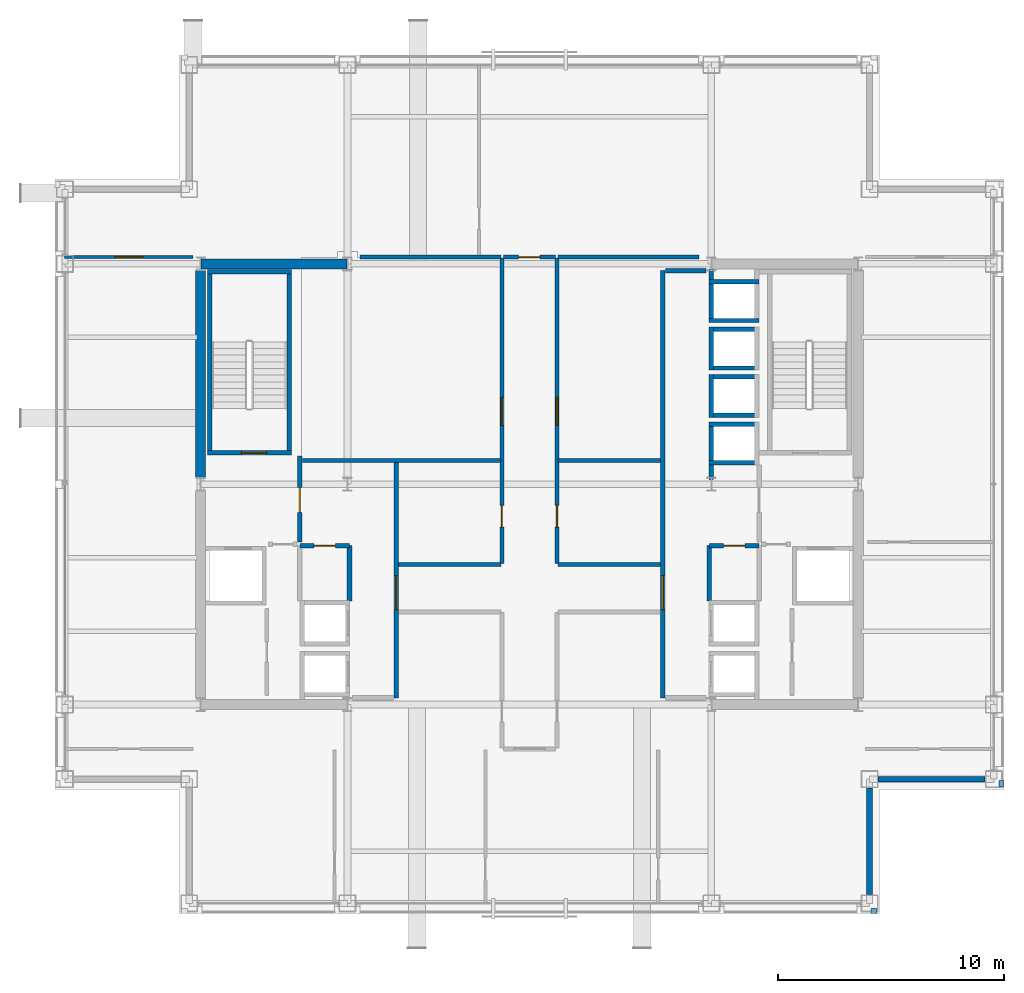
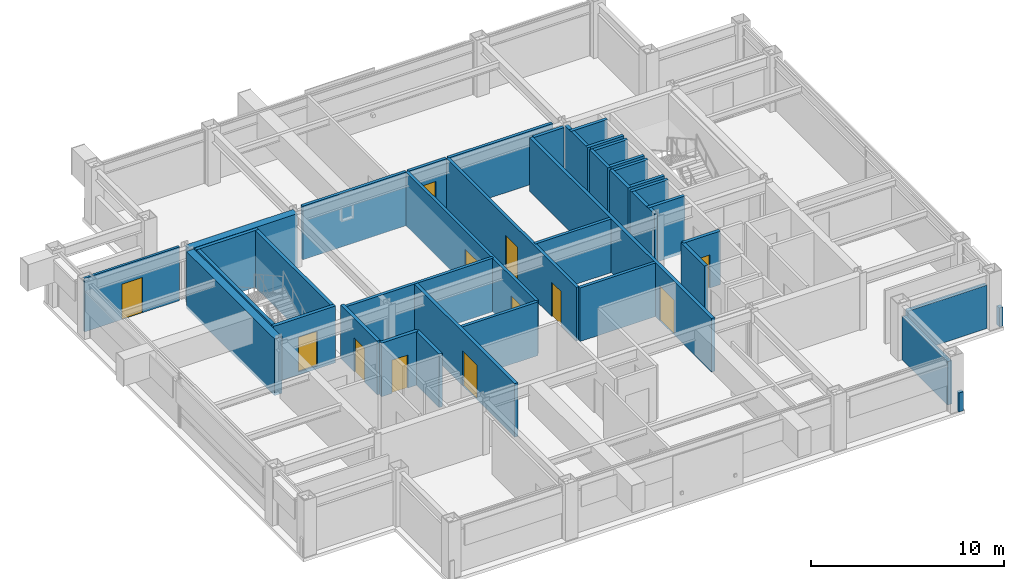
# One storey, part 25 of 28: 40 walls, 12 doors, 12 openings.
"""IFC4 building model written with IfcOpenShell, lengths in metres."""

from ifc_helpers import new_model, si_unit, direction, frame, frame_2d, origin, place, context, subcontext, project, spatial, rectangle, extrude, material, layer, layer_set, type_object, element, fill, save


model = new_model("IFC4")

# Units and contexts
model_context = context("Model", 3, precision=1e-05, world=origin(), true_north=direction((0.0, 1.0)))
body_context = subcontext(model_context, "Body", "Model", "MODEL_VIEW")
ifc_project = project(units=[si_unit("LENGTHUNIT", "METRE"), si_unit("AREAUNIT", "SQUARE_METRE"), si_unit("VOLUMEUNIT", "CUBIC_METRE"), si_unit("PLANEANGLEUNIT", "RADIAN"), si_unit("MASSUNIT", "GRAM", prefix="KILO")], contexts=[model_context])

# Site, building, storey
site_placement = place(None, origin())
site = spatial("IfcSite", under=ifc_project, at=site_placement, CompositionType="ELEMENT")
building_placement = place(site_placement, origin())
building = spatial("IfcBuilding", under=site, at=building_placement, Name="Brelmoor Portico Tower", CompositionType="ELEMENT")
storey_placement = place(building_placement, frame((0.0, 0.0, 155.10009765625)))
storey = spatial("IfcBuildingStorey", under=building, at=storey_placement, Name="L40", CompositionType="ELEMENT", Elevation=155.10009765625)

# Walls
ifc_material_1 = material(Name="Concrete C50", Category="concrete")
ifc_layer_1 = layer(ifc_material_1, 0.449951171875)
ifc_layer_set_1 = layer_set([ifc_layer_1], Name="Concrete C50")
wall_type_1 = type_object("IfcWallType", Name="WL-CORE-450", PredefinedType="SHEAR", material=ifc_layer_set_1)
wall_1_placement = place(storey_placement, frame((-14.530029296875, 9.75, -0.2001953125), z_axis=(0.0, 0.0, 1.0), x_axis=(1.0, 0.0, 0.0)))
element("IfcWall", 1, at=wall_1_placement, inside=storey, type_object=wall_type_1, Name="L40 WC North Shear Wall", PredefinedType="SHEAR", context=body_context, shape_type="SweptSolid", body=[
    extrude(rectangle(XDim=6.4599609375, YDim=0.449951171875, at=frame_2d((3.22998046875, 0.0))), origin(), (0.0, 0.0, 1.0), 3.60009765625),
])
wall_2_placement = place(storey_placement, frame((-14.550048828125, 0.300048828125, -0.2001953125), z_axis=(0.0, 0.0, 1.0), x_axis=(0.0, 1.0, 0.0)))
element("IfcWall", 2, at=wall_2_placement, inside=storey, type_object=wall_type_1, Name="L40 WC Outer North Shear Wall", PredefinedType="SHEAR", context=body_context, shape_type="SweptSolid", body=[
    extrude(rectangle(XDim=9.14990234375, YDim=0.449951171875, at=frame_2d((4.574951171875, 0.0))), origin(), (0.0, 0.0, 1.0), 3.60009765625),
])
ifc_material_2 = material(Name="Precast Concrete C40 Insulated Facade Wall", Category="concrete")
ifc_layer_2 = layer(ifc_material_2, 0.25)
ifc_layer_set_2 = layer_set([ifc_layer_2], Name="Precast Concrete C40 Insulated Facade Wall")
wall_type_2 = type_object("IfcWallType", Name="WL-EXT-250", PredefinedType="STANDARD", material=ifc_layer_set_2)
for number, where, z_axis, x_axis, name in (
    (3, (15.43505859375, -13.050048828125, 0.0), (0.0, 0.0, 1.0), (1.0, 0.0, 0.0), "L40 Corner Notch Facade Wall NSEH1"),
    (4, (15.050048828125, -18.1650390625, 0.0), (0.0, 0.0, 1.0), (0.0, 1.0, 0.0), "L40 Corner Notch Facade Wall NSEV1"),
):
    element("IfcWall", number, at=place(storey_placement, frame(where, z_axis=z_axis, x_axis=x_axis)), inside=storey, type_object=wall_type_2, Name=name, PredefinedType="STANDARD", context=body_context, shape_type="SweptSolid", body=[
        extrude(rectangle(XDim=4.72998046875, YDim=0.25, at=frame_2d((2.364990234375, 0.0))), origin(), (0.0, 0.0, 1.0), 2.75),
    ])
ifc_material_3 = material(Name="Concrete C40 Parapet Upstand", Category="concrete")
ifc_layer_3 = layer(ifc_material_3, 0.219970703125)
ifc_layer_set_3 = layer_set([ifc_layer_3], Name="Concrete C40 Parapet Upstand")
wall_type_3 = type_object("IfcWallType", Name="WL-PARAPET-220", PredefinedType="PARAPET", material=ifc_layer_set_3)
for number, where, z_axis, x_axis, name in (
    (5, (15.1201171875, -18.889892578125, 0.0), (0.0, 0.0, 1.0), (1.0, 0.0, 0.0), "L40 Chamfer Vertex Parapet Pier SE1"),
    (6, (20.889892578125, -13.389892578125, 0.0), (0.0, 0.0, 1.0), (0.0, 1.0, 0.0), "L40 Chamfer Vertex Parapet Pier SE2"),
):
    element("IfcWall", number, at=place(storey_placement, frame(where, z_axis=z_axis, x_axis=x_axis)), inside=storey, type_object=wall_type_3, Name=name, PredefinedType="PARAPET", context=body_context, shape_type="SweptSolid", body=[
        extrude(rectangle(XDim=0.269775390625, YDim=0.219970703125, at=frame_2d((0.134765625, 0.0))), origin(), (0.0, 0.0, 1.0), 1.199951171875),
    ])

# Wall, opening, door
ifc_material_4 = material(Name="Insulated Stud Suite Partition", Category="gypsum")
ifc_layer_4 = layer(ifc_material_4, 0.139892578125)
ifc_layer_set_4 = layer_set([ifc_layer_4], Name="Insulated Stud Suite Partition")
wall_type_4 = type_object("IfcWallType", Name="WL-PART-140", PredefinedType="PARTITIONING", material=ifc_layer_set_4)
wall_3_placement = place(storey_placement, frame((-20.56005859375, 10.050048828125, 0.0), z_axis=(0.0, 0.0, 1.0), x_axis=(1.0, 0.0, 0.0)))
wall_3 = element("IfcWall", 7, at=wall_3_placement, inside=storey, type_object=wall_type_4, Name="L40 North Wing Suite Wall WL", PredefinedType="PARTITIONING", context=body_context, shape_type="SweptSolid", body=[
    extrude(rectangle(XDim=5.68017578125, YDim=0.139892578125, at=frame_2d((2.840087890625, 0.0))), origin(), (0.0, 0.0, 1.0), 3.39990234375),
])
opening_1_placement = place(wall_3_placement, frame((2.219970703125, 0.0, 0.0)))
opening_1 = element("IfcOpeningElement", 8, at=opening_1_placement, cuts=wall_3, Name="Opening D-SU1", PredefinedType="OPENING", context=body_context, shape_type="SweptSolid", body=[
    extrude(rectangle(XDim=1.239990234375, YDim=2.239990234375, at=frame_2d((0.6201171875, 1.1201171875))), frame((0.0, 0.079833984375, 0.0), z_axis=(0.0, -1.0, 0.0), x_axis=(1.0, 0.0, 0.0)), (0.0, 0.0, 1.0), 0.159912109375),
])
ifc_material_5 = material(Name="Glazed Timber Executive Suite Door", Category="wood")
door_type_1 = type_object("IfcDoorType", Name="DR-SUITE-1200", OperationType="NOTDEFINED", PredefinedType="DOOR", material=ifc_material_5)
door_1_placement = place(opening_1_placement, origin())
door_1 = element("IfcDoor", 9, at=door_1_placement, inside=storey, type_object=door_type_1, Name="D-1727 L40 WL Wing Suite Connecting Door", OperationType="SINGLE_SWING_LEFT", OverallHeight=2.239990234375, OverallWidth=1.239990234375, PredefinedType="DOOR", context=body_context, shape_type="SweptSolid", body=[
    extrude(rectangle(XDim=1.239990234375, YDim=2.239990234375, at=frame_2d((0.6201171875, 1.1201171875))), frame((0.0, 0.02490234375, 0.0), z_axis=(0.0, -1.0, 0.0), x_axis=(1.0, 0.0, 0.0)), (0.0, 0.0, 1.0), 0.050048828125),
])
fill(opening_1, door_1)

# Wall
ifc_material_6 = material(Name="Acoustic Corridor Fire Partition", Category="gypsum")
ifc_layer_5 = layer(ifc_material_6, 0.179931640625)
ifc_layer_set_5 = layer_set([ifc_layer_5], Name="Acoustic Corridor Fire Partition")
wall_type_5 = type_object("IfcWallType", Name="WL-PART-180", PredefinedType="PARTITIONING", material=ifc_layer_set_5)
wall_4_placement = place(storey_placement, frame((-10.050048828125, 1.050048828125, 0.0), z_axis=(0.0, 0.0, 1.0), x_axis=(1.0, 0.0, 0.0)))
element("IfcWall", 10, at=wall_4_placement, inside=storey, type_object=wall_type_5, Name="L40 West Reclaimed Suite South Wall", PredefinedType="PARTITIONING", context=body_context, shape_type="SweptSolid", body=[
    extrude(rectangle(XDim=8.7900390625, YDim=0.179931640625, at=frame_2d((4.39501953125, 0.0))), origin(), (0.0, 0.0, 1.0), 3.39990234375),
])

# Wall, openings, doors
wall_5_placement = place(storey_placement, frame((-1.219970703125, -3.5, 0.0), z_axis=(0.0, 0.0, 1.0), x_axis=(0.0, 1.0, 0.0)))
wall_5 = element("IfcWall", 11, at=wall_5_placement, inside=storey, type_object=wall_type_5, Name="L40 Central Cross West Wall", PredefinedType="PARTITIONING", context=body_context, shape_type="SweptSolid", body=[
    extrude(rectangle(XDim=13.510009765625, YDim=0.179931640625, at=frame_2d((6.7548828125, 0.0))), origin(), (0.0, 0.0, 1.0), 3.39990234375),
])
opening_2_placement = place(wall_5_placement, frame((6.10009765625, 0.0, 0.0)))
opening_2 = element("IfcOpeningElement", 12, at=opening_2_placement, cuts=wall_5, Name="Opening D-SU1", PredefinedType="OPENING", context=body_context, shape_type="SweptSolid", body=[
    extrude(rectangle(XDim=1.239990234375, YDim=2.239990234375, at=frame_2d((0.6201171875, 1.1201171875))), frame((0.0, 0.099853515625, 0.0), z_axis=(0.0, -1.0, 0.0), x_axis=(1.0, 0.0, 0.0)), (0.0, 0.0, 1.0), 0.199951171875),
])
opening_3_placement = place(wall_5_placement, frame((1.60009765625, 0.0, 0.0)))
opening_3 = element("IfcOpeningElement", 13, at=opening_3_placement, cuts=wall_5, Name="Opening D-IN2", PredefinedType="OPENING", context=body_context, shape_type="SweptSolid", body=[
    extrude(rectangle(XDim=0.9599609375, YDim=2.179931640625, at=frame_2d((0.47998046875, 1.08984375))), frame((0.0, 0.099853515625, 0.0), z_axis=(0.0, -1.0, 0.0), x_axis=(1.0, 0.0, 0.0)), (0.0, 0.0, 1.0), 0.199951171875),
])
ifc_material_7 = material(Name="Lacquered Timber Suite Door", Category="wood")
door_type_2 = type_object("IfcDoorType", Name="DR-INT-950", OperationType="NOTDEFINED", PredefinedType="DOOR", material=ifc_material_7)
door_2_placement = place(opening_3_placement, origin())
door_2 = element("IfcDoor", 14, at=door_2_placement, inside=storey, type_object=door_type_2, Name="D-1712 L40 Staff Pantry Door", OperationType="SINGLE_SWING_RIGHT", OverallHeight=2.179931640625, OverallWidth=0.9599609375, PredefinedType="DOOR", context=body_context, shape_type="SweptSolid", body=[
    extrude(rectangle(XDim=0.9599609375, YDim=2.179931640625, at=frame_2d((0.47998046875, 1.08984375))), frame((0.0, 0.02490234375, 0.0), z_axis=(0.0, -1.0, 0.0), x_axis=(1.0, 0.0, 0.0)), (0.0, 0.0, 1.0), 0.050048828125),
])
fill(opening_3, door_2)
door_3_placement = place(opening_2_placement, origin())
door_3 = element("IfcDoor", 15, at=door_3_placement, inside=storey, type_object=door_type_1, Name="D-1713 L40 West Reclaimed Studio Door", OperationType="SINGLE_SWING_LEFT", OverallHeight=2.239990234375, OverallWidth=1.239990234375, PredefinedType="DOOR", context=body_context, shape_type="SweptSolid", body=[
    extrude(rectangle(XDim=1.239990234375, YDim=2.239990234375, at=frame_2d((0.6201171875, 1.1201171875))), frame((0.0, 0.02490234375, 0.0), z_axis=(0.0, -1.0, 0.0), x_axis=(1.0, 0.0, 0.0)), (0.0, 0.0, 1.0), 0.050048828125),
])
fill(opening_2, door_3)

# Walls
wall_6_placement = place(storey_placement, frame((-7.5, 10.050048828125, 0.0), z_axis=(0.0, 0.0, 1.0), x_axis=(1.0, 0.0, 0.0)))
element("IfcWall", 16, at=wall_6_placement, inside=storey, type_object=wall_type_5, Name="L40 West Reclaimed Suite North Wall", PredefinedType="PARTITIONING", context=body_context, shape_type="SweptSolid", body=[
    extrude(rectangle(XDim=6.239990234375, YDim=0.179931640625, at=frame_2d((3.1201171875, 0.0))), origin(), (0.0, 0.0, 1.0), 3.39990234375),
])
for number, where, z_axis, x_axis, name in (
    (17, (-5.800048828125, -3.550048828125, 0.0), (0.0, 0.0, 1.0), (1.0, 0.0, 0.0), "L40 West Pantry South Wall"),
    (18, (1.260009765625, 1.050048828125, 0.0), (0.0, 0.0, 1.0), (1.0, 0.0, 0.0), "L40 East Suite South Wall"),
):
    element("IfcWall", number, at=place(storey_placement, frame(where, z_axis=z_axis, x_axis=x_axis)), inside=storey, type_object=wall_type_5, Name=name, PredefinedType="PARTITIONING", context=body_context, shape_type="SweptSolid", body=[
        extrude(rectangle(XDim=4.5400390625, YDim=0.179931640625, at=frame_2d((2.27001953125, 0.0))), origin(), (0.0, 0.0, 1.0), 3.39990234375),
    ])

# Wall, openings, doors
wall_7_placement = place(storey_placement, frame((1.219970703125, -3.5, 0.0), z_axis=(0.0, 0.0, 1.0), x_axis=(0.0, 1.0, 0.0)))
wall_7 = element("IfcWall", 19, at=wall_7_placement, inside=storey, type_object=wall_type_5, Name="L40 Central Cross East Wall", PredefinedType="PARTITIONING", context=body_context, shape_type="SweptSolid", body=[
    extrude(rectangle(XDim=13.510009765625, YDim=0.179931640625, at=frame_2d((6.7548828125, 0.0))), origin(), (0.0, 0.0, 1.0), 3.39990234375),
])
opening_4_placement = place(wall_7_placement, frame((6.10009765625, 0.0, 0.0)))
opening_4 = element("IfcOpeningElement", 20, at=opening_4_placement, cuts=wall_7, Name="Opening D-SU1", PredefinedType="OPENING", context=body_context, shape_type="SweptSolid", body=[
    extrude(rectangle(XDim=1.239990234375, YDim=2.239990234375, at=frame_2d((0.6201171875, 1.1201171875))), frame((0.0, 0.099853515625, 0.0), z_axis=(0.0, -1.0, 0.0), x_axis=(1.0, 0.0, 0.0)), (0.0, 0.0, 1.0), 0.199951171875),
])
opening_5_placement = place(wall_7_placement, frame((1.60009765625, 0.0, 0.0)))
opening_5 = element("IfcOpeningElement", 21, at=opening_5_placement, cuts=wall_7, Name="Opening D-IN2", PredefinedType="OPENING", context=body_context, shape_type="SweptSolid", body=[
    extrude(rectangle(XDim=0.9599609375, YDim=2.179931640625, at=frame_2d((0.47998046875, 1.08984375))), frame((0.0, 0.099853515625, 0.0), z_axis=(0.0, -1.0, 0.0), x_axis=(1.0, 0.0, 0.0)), (0.0, 0.0, 1.0), 0.199951171875),
])
door_4_placement = place(opening_5_placement, origin())
door_4 = element("IfcDoor", 22, at=door_4_placement, inside=storey, type_object=door_type_2, Name="D-1708 L40 Client Project Office Door", OperationType="SINGLE_SWING_RIGHT", OverallHeight=2.179931640625, OverallWidth=0.9599609375, PredefinedType="DOOR", context=body_context, shape_type="SweptSolid", body=[
    extrude(rectangle(XDim=0.9599609375, YDim=2.179931640625, at=frame_2d((0.47998046875, 1.08984375))), frame((0.0, 0.02490234375, 0.0), z_axis=(0.0, -1.0, 0.0), x_axis=(1.0, 0.0, 0.0)), (0.0, 0.0, 1.0), 0.050048828125),
])
fill(opening_5, door_4)
door_5_placement = place(opening_4_placement, origin())
door_5 = element("IfcDoor", 23, at=door_5_placement, inside=storey, type_object=door_type_1, Name="D-1709 L40 East Reclaimed Studio Door", OperationType="SINGLE_SWING_LEFT", OverallHeight=2.239990234375, OverallWidth=1.239990234375, PredefinedType="DOOR", context=body_context, shape_type="SweptSolid", body=[
    extrude(rectangle(XDim=1.239990234375, YDim=2.239990234375, at=frame_2d((0.6201171875, 1.1201171875))), frame((0.0, 0.02490234375, 0.0), z_axis=(0.0, -1.0, 0.0), x_axis=(1.0, 0.0, 0.0)), (0.0, 0.0, 1.0), 0.050048828125),
])
fill(opening_4, door_5)

# Walls
wall_8_placement = place(storey_placement, frame((1.260009765625, 10.050048828125, 0.0), z_axis=(0.0, 0.0, 1.0), x_axis=(1.0, 0.0, 0.0)))
element("IfcWall", 24, at=wall_8_placement, inside=storey, type_object=wall_type_5, Name="L40 East Suite North Wall", PredefinedType="PARTITIONING", context=body_context, shape_type="SweptSolid", body=[
    extrude(rectangle(XDim=6.239990234375, YDim=0.179931640625, at=frame_2d((3.1201171875, 0.0))), origin(), (0.0, 0.0, 1.0), 3.39990234375),
])
wall_9_placement = place(storey_placement, frame((1.260009765625, -3.550048828125, 0.0), z_axis=(0.0, 0.0, 1.0), x_axis=(1.0, 0.0, 0.0)))
element("IfcWall", 25, at=wall_9_placement, inside=storey, type_object=wall_type_5, Name="L40 East Office South Wall", PredefinedType="PARTITIONING", context=body_context, shape_type="SweptSolid", body=[
    extrude(rectangle(XDim=4.5400390625, YDim=0.179931640625, at=frame_2d((2.27001953125, 0.0))), origin(), (0.0, 0.0, 1.0), 3.39990234375),
])

# Wall, opening, door
wall_10_placement = place(storey_placement, frame((-1.14990234375, 10.050048828125, 0.0), z_axis=(0.0, 0.0, 1.0), x_axis=(1.0, 0.0, 0.0)))
wall_10 = element("IfcWall", 26, at=wall_10_placement, inside=storey, type_object=wall_type_5, Name="L40 North Corridor Partition", PredefinedType="PARTITIONING", context=body_context, shape_type="SweptSolid", body=[
    extrude(rectangle(XDim=2.2998046875, YDim=0.179931640625, at=frame_2d((1.14990234375, 0.0))), origin(), (0.0, 0.0, 1.0), 3.39990234375),
])
opening_6_placement = place(wall_10_placement, frame((0.669921875, 0.0, 0.0)))
opening_6 = element("IfcOpeningElement", 27, at=opening_6_placement, cuts=wall_10, Name="Opening D-IN2", PredefinedType="OPENING", context=body_context, shape_type="SweptSolid", body=[
    extrude(rectangle(XDim=0.9599609375, YDim=2.179931640625, at=frame_2d((0.47998046875, 1.08984375))), frame((0.0, 0.099853515625, 0.0), z_axis=(0.0, -1.0, 0.0), x_axis=(1.0, 0.0, 0.0)), (0.0, 0.0, 1.0), 0.199951171875),
])
door_6_placement = place(opening_6_placement, origin())
door_6 = element("IfcDoor", 28, at=door_6_placement, inside=storey, type_object=door_type_2, Name="D-1724 L40 North Staff Tea Pantry 2 Door", OperationType="SINGLE_SWING_RIGHT", OverallHeight=2.179931640625, OverallWidth=0.9599609375, PredefinedType="DOOR", context=body_context, shape_type="SweptSolid", body=[
    extrude(rectangle(XDim=0.9599609375, YDim=2.179931640625, at=frame_2d((0.47998046875, 1.08984375))), frame((0.0, 0.02490234375, 0.0), z_axis=(0.0, -1.0, 0.0), x_axis=(1.0, 0.0, 0.0)), (0.0, 0.0, 1.0), 0.050048828125),
])
fill(opening_6, door_6)

ifc_material_8 = material(Name="Double-Stud Gypsum Fire Partition", Category="gypsum")
ifc_layer_6 = layer(ifc_material_8, 0.199951171875)
ifc_layer_set_6 = layer_set([ifc_layer_6], Name="Double-Stud Gypsum Fire Partition")
wall_type_6 = type_object("IfcWallType", Name="WL-PART-200", PredefinedType="PARTITIONING", material=ifc_layer_set_6)
wall_11_placement = place(storey_placement, frame((-5.89990234375, -9.449951171875, 0.0), z_axis=(0.0, 0.0, 1.0), x_axis=(0.0, 1.0, 0.0)))
wall_11 = element("IfcWall", 29, at=wall_11_placement, inside=storey, type_object=wall_type_6, Name="L40 W Core Lobby Compartment Wall", PredefinedType="PARTITIONING", context=body_context, shape_type="SweptSolid", body=[
    extrude(rectangle(XDim=10.5, YDim=0.199951171875, at=frame_2d((5.25, 0.0))), origin(), (0.0, 0.0, 1.0), 3.39990234375),
])
opening_7_placement = place(wall_11_placement, frame((3.89990234375, 0.0, 0.0)))
opening_7 = element("IfcOpeningElement", 30, at=opening_7_placement, cuts=wall_11, Name="Opening D-LB1", PredefinedType="OPENING", context=body_context, shape_type="SweptSolid", body=[
    extrude(rectangle(XDim=1.5, YDim=2.199951171875, at=frame_2d((0.75, 1.10009765625))), frame((0.0, 0.10986328125, 0.0), z_axis=(0.0, -1.0, 0.0), x_axis=(1.0, 0.0, 0.0)), (0.0, 0.0, 1.0), 0.219970703125),
])
ifc_material_9 = material(Name="Double-Leaf Glazed Steel Fire Door", Category="steel")
door_type_3 = type_object("IfcDoorType", Name="DR-LOBBY-1500", OperationType="NOTDEFINED", PredefinedType="DOOR", material=ifc_material_9)
door_7_placement = place(opening_7_placement, origin())
door_7 = element("IfcDoor", 31, at=door_7_placement, inside=storey, type_object=door_type_3, Name="D-1723 L40 W Lift Lobby Main Door", OperationType="DOUBLE_DOOR_SINGLE_SWING", OverallHeight=2.199951171875, OverallWidth=1.5, PredefinedType="DOOR", context=body_context, shape_type="SweptSolid", body=[
    extrude(rectangle(XDim=1.5, YDim=2.199951171875, at=frame_2d((0.75, 1.10009765625))), frame((0.0, 0.02490234375, 0.0), z_axis=(0.0, -1.0, 0.0), x_axis=(1.0, 0.0, 0.0)), (0.0, 0.0, 1.0), 0.050048828125),
])
fill(opening_7, door_7)

wall_12_placement = place(storey_placement, frame((-10.159912109375, -2.550048828125, 0.0), z_axis=(0.0, 0.0, 1.0), x_axis=(0.0, 1.0, 0.0)))
wall_12 = element("IfcWall", 32, at=wall_12_placement, inside=storey, type_object=wall_type_6, Name="L40 W Firefighting Lobby Wall", PredefinedType="PARTITIONING", context=body_context, shape_type="SweptSolid", body=[
    extrude(rectangle(XDim=3.800048828125, YDim=0.199951171875, at=frame_2d((1.89990234375, 0.0))), origin(), (0.0, 0.0, 1.0), 3.39990234375),
])
opening_8_placement = place(wall_12_placement, frame((1.300048828125, 0.0, 0.0)))
opening_8 = element("IfcOpeningElement", 33, at=opening_8_placement, cuts=wall_12, Name="Opening D-FR1", PredefinedType="OPENING", context=body_context, shape_type="SweptSolid", body=[
    extrude(rectangle(XDim=1.10009765625, YDim=2.14990234375, at=frame_2d((0.550048828125, 1.074951171875))), frame((0.0, 0.10986328125, 0.0), z_axis=(0.0, -1.0, 0.0), x_axis=(1.0, 0.0, 0.0)), (0.0, 0.0, 1.0), 0.219970703125),
])
ifc_material_10 = material(Name="Painted Galvanised Steel Fire Door", Category="steel")
door_type_4 = type_object("IfcDoorType", Name="DR-FIRE-1100", OperationType="NOTDEFINED", PredefinedType="DOOR", material=ifc_material_10)
door_8_placement = place(opening_8_placement, origin())
door_8 = element("IfcDoor", 34, at=door_8_placement, inside=storey, type_object=door_type_4, Name="D-1721 L40 W Firefighting Lobby Door", OperationType="SINGLE_SWING_LEFT", OverallHeight=2.14990234375, OverallWidth=1.10009765625, PredefinedType="DOOR", context=body_context, shape_type="SweptSolid", body=[
    extrude(rectangle(XDim=1.10009765625, YDim=2.14990234375, at=frame_2d((0.550048828125, 1.074951171875))), frame((0.0, 0.02490234375, 0.0), z_axis=(0.0, -1.0, 0.0), x_axis=(1.0, 0.0, 0.0)), (0.0, 0.0, 1.0), 0.050048828125),
])
fill(opening_8, door_8)

wall_13_placement = place(storey_placement, frame((-7.9599609375, -2.719970703125, 0.0), z_axis=(0.0, 0.0, 1.0), x_axis=(-1.0, 0.0, 0.0)))
wall_13 = element("IfcWall", 35, at=wall_13_placement, inside=storey, type_object=wall_type_6, Name="L40 W Electrical Switchgear Closet Wall", PredefinedType="PARTITIONING", context=body_context, shape_type="SweptSolid", body=[
    extrude(rectangle(XDim=2.199951171875, YDim=0.199951171875, at=frame_2d((1.10009765625, 0.0))), origin(), (0.0, 0.0, 1.0), 3.39990234375),
])
opening_9_placement = place(wall_13_placement, frame((0.6201171875, 0.0, 0.0)))
opening_9 = element("IfcOpeningElement", 36, at=opening_9_placement, cuts=wall_13, Name="Opening D-FR4", PredefinedType="OPENING", context=body_context, shape_type="SweptSolid", body=[
    extrude(rectangle(XDim=0.949951171875, YDim=2.10009765625, at=frame_2d((0.47509765625, 1.050048828125))), frame((0.0, 0.10986328125, 0.0), z_axis=(0.0, -1.0, 0.0), x_axis=(1.0, 0.0, 0.0)), (0.0, 0.0, 1.0), 0.219970703125),
])
ifc_material_11 = material(Name="Painted Galvanised Steel Riser Door", Category="steel")
door_type_5 = type_object("IfcDoorType", Name="DR-FIRE-950", OperationType="NOTDEFINED", PredefinedType="DOOR", material=ifc_material_11)
door_9_placement = place(opening_9_placement, origin())
door_9 = element("IfcDoor", 37, at=door_9_placement, inside=storey, type_object=door_type_5, Name="D-1719 L40 W Electrical Switchgear Closet Door", OperationType="SINGLE_SWING_LEFT", OverallHeight=2.10009765625, OverallWidth=0.949951171875, PredefinedType="DOOR", context=body_context, shape_type="SweptSolid", body=[
    extrude(rectangle(XDim=0.949951171875, YDim=2.10009765625, at=frame_2d((0.47509765625, 1.050048828125))), frame((0.0, 0.02490234375, 0.0), z_axis=(0.0, -1.0, 0.0), x_axis=(1.0, 0.0, 0.0)), (0.0, 0.0, 1.0), 0.050048828125),
])
fill(opening_9, door_9)

# Wall
wall_14_placement = place(storey_placement, frame((-7.9599609375, -5.159912109375, 0.0), z_axis=(0.0, 0.0, 1.0), x_axis=(0.0, 1.0, 0.0)))
element("IfcWall", 38, at=wall_14_placement, inside=storey, type_object=wall_type_6, Name="L40 W Electrical Switchgear Closet Inner Wall", PredefinedType="PARTITIONING", context=body_context, shape_type="SweptSolid", body=[
    extrude(rectangle(XDim=2.43994140625, YDim=0.199951171875, at=frame_2d((1.219970703125, 0.0))), origin(), (0.0, 0.0, 1.0), 3.39990234375),
])

# Wall, opening, door
wall_15_placement = place(storey_placement, frame((5.89990234375, -9.449951171875, 0.0), z_axis=(0.0, 0.0, 1.0), x_axis=(0.0, 1.0, 0.0)))
wall_15 = element("IfcWall", 39, at=wall_15_placement, inside=storey, type_object=wall_type_6, Name="L40 E Core Lobby Compartment Wall", PredefinedType="PARTITIONING", context=body_context, shape_type="SweptSolid", body=[
    extrude(rectangle(XDim=18.89990234375, YDim=0.199951171875, at=frame_2d((9.449951171875, 0.0))), origin(), (0.0, 0.0, 1.0), 3.39990234375),
])
opening_10_placement = place(wall_15_placement, frame((3.89990234375, 0.0, 0.0)))
opening_10 = element("IfcOpeningElement", 40, at=opening_10_placement, cuts=wall_15, Name="Opening D-LB1", PredefinedType="OPENING", context=body_context, shape_type="SweptSolid", body=[
    extrude(rectangle(XDim=1.5, YDim=2.199951171875, at=frame_2d((0.75, 1.10009765625))), frame((0.0, 0.10986328125, 0.0), z_axis=(0.0, -1.0, 0.0), x_axis=(1.0, 0.0, 0.0)), (0.0, 0.0, 1.0), 0.219970703125),
])
door_10_placement = place(opening_10_placement, origin())
door_10 = element("IfcDoor", 41, at=door_10_placement, inside=storey, type_object=door_type_3, Name="D-1722 L40 E Lift Lobby Main Door", OperationType="DOUBLE_DOOR_SINGLE_SWING", OverallHeight=2.199951171875, OverallWidth=1.5, PredefinedType="DOOR", context=body_context, shape_type="SweptSolid", body=[
    extrude(rectangle(XDim=1.5, YDim=2.199951171875, at=frame_2d((0.75, 1.10009765625))), frame((0.0, 0.02490234375, 0.0), z_axis=(0.0, -1.0, 0.0), x_axis=(1.0, 0.0, 0.0)), (0.0, 0.0, 1.0), 0.050048828125),
])
fill(opening_10, door_10)

# Wall
wall_16_placement = place(storey_placement, frame((6.02001953125, 9.449951171875, 0.0), z_axis=(0.0, 0.0, 1.0), x_axis=(1.0, 0.0, 0.0)))
element("IfcWall", 42, at=wall_16_placement, inside=storey, type_object=wall_type_6, Name="L40 E Lift Lobby North End Wall", PredefinedType="PARTITIONING", context=body_context, shape_type="SweptSolid", body=[
    extrude(rectangle(XDim=1.800048828125, YDim=0.199951171875, at=frame_2d((0.89990234375, 0.0))), origin(), (0.0, 0.0, 1.0), 3.39990234375),
])

# Wall, opening, door
wall_17_placement = place(storey_placement, frame((7.9599609375, -2.719970703125, 0.0), z_axis=(0.0, 0.0, 1.0), x_axis=(1.0, 0.0, 0.0)))
wall_17 = element("IfcWall", 43, at=wall_17_placement, inside=storey, type_object=wall_type_6, Name="L40 E Electrical Switchgear Closet Wall", PredefinedType="PARTITIONING", context=body_context, shape_type="SweptSolid", body=[
    extrude(rectangle(XDim=2.199951171875, YDim=0.199951171875, at=frame_2d((1.10009765625, 0.0))), origin(), (0.0, 0.0, 1.0), 3.39990234375),
])
opening_11_placement = place(wall_17_placement, frame((0.6201171875, 0.0, 0.0)))
opening_11 = element("IfcOpeningElement", 44, at=opening_11_placement, cuts=wall_17, Name="Opening D-FR4", PredefinedType="OPENING", context=body_context, shape_type="SweptSolid", body=[
    extrude(rectangle(XDim=0.949951171875, YDim=2.10009765625, at=frame_2d((0.47509765625, 1.050048828125))), frame((0.0, 0.10986328125, 0.0), z_axis=(0.0, -1.0, 0.0), x_axis=(1.0, 0.0, 0.0)), (0.0, 0.0, 1.0), 0.219970703125),
])
door_11_placement = place(opening_11_placement, origin())
door_11 = element("IfcDoor", 45, at=door_11_placement, inside=storey, type_object=door_type_5, Name="D-1718 L40 E Electrical Switchgear Closet Door", OperationType="SINGLE_SWING_LEFT", OverallHeight=2.10009765625, OverallWidth=0.949951171875, PredefinedType="DOOR", context=body_context, shape_type="SweptSolid", body=[
    extrude(rectangle(XDim=0.949951171875, YDim=2.10009765625, at=frame_2d((0.47509765625, 1.050048828125))), frame((0.0, 0.02490234375, 0.0), z_axis=(0.0, -1.0, 0.0), x_axis=(1.0, 0.0, 0.0)), (0.0, 0.0, 1.0), 0.050048828125),
])
fill(opening_11, door_11)

# Walls
wall_18_placement = place(storey_placement, frame((7.9599609375, -5.159912109375, 0.0), z_axis=(0.0, 0.0, 1.0), x_axis=(0.0, 1.0, 0.0)))
element("IfcWall", 46, at=wall_18_placement, inside=storey, type_object=wall_type_6, Name="L40 E Electrical Switchgear Closet Inner Wall", PredefinedType="PARTITIONING", context=body_context, shape_type="SweptSolid", body=[
    extrude(rectangle(XDim=2.43994140625, YDim=0.199951171875, at=frame_2d((1.219970703125, 0.0))), origin(), (0.0, 0.0, 1.0), 3.39990234375),
])
ifc_material_12 = material(Name="Precast Concrete C40", Category="concrete")
ifc_layer_7 = layer(ifc_material_12, 0.18994140625)
ifc_layer_set_7 = layer_set([ifc_layer_7], Name="Precast Concrete C40")
wall_type_7 = type_object("IfcWallType", Name="WL-SHAFT-180", PredefinedType="SOLIDWALL", material=ifc_layer_set_7)
wall_19_placement = place(storey_placement, frame((8.044921875, 0.2099609375, -0.2001953125), z_axis=(0.0, 0.0, 1.0), x_axis=(0.0, 1.0, 0.0)))
element("IfcWall", 47, at=wall_19_placement, inside=storey, type_object=wall_type_7, Name="L40 Lift PM1 Hoistway Front Wall", PredefinedType="SOLIDWALL", context=body_context, shape_type="SweptSolid", body=[
    extrude(rectangle(XDim=2.5400390625, YDim=0.18994140625, at=frame_2d((1.27001953125, 0.0))), origin(), (0.0, 0.0, 1.0), 3.60009765625),
])
for number, where, z_axis, x_axis, name in (
    (48, (7.949951171875, 2.655029296875, -0.2001953125), (0.0, 0.0, 1.0), (1.0, 0.0, 0.0), "L40 Lift PM1 Hoistway North Wall"),
    (49, (7.949951171875, 0.945068359375, -0.2001953125), (0.0, 0.0, 1.0), (1.0, 0.0, 0.0), "L40 Lift PM1 Hoistway South Wall"),
):
    element("IfcWall", number, at=place(storey_placement, frame(where, z_axis=z_axis, x_axis=x_axis)), inside=storey, type_object=wall_type_7, Name=name, PredefinedType="SOLIDWALL", context=body_context, shape_type="SweptSolid", body=[
        extrude(rectangle(XDim=2.199951171875, YDim=0.18994140625, at=frame_2d((1.10009765625, 0.0))), origin(), (0.0, 0.0, 1.0), 3.60009765625),
    ])
wall_20_placement = place(storey_placement, frame((8.044921875, 2.949951171875, -0.2001953125), z_axis=(0.0, 0.0, 1.0), x_axis=(0.0, 1.0, 0.0)))
element("IfcWall", 50, at=wall_20_placement, inside=storey, type_object=wall_type_7, Name="L40 Lift PM2 Hoistway Front Wall", PredefinedType="SOLIDWALL", context=body_context, shape_type="SweptSolid", body=[
    extrude(rectangle(XDim=1.900146484375, YDim=0.18994140625, at=frame_2d((0.9501953125, 0.0))), origin(), (0.0, 0.0, 1.0), 3.60009765625),
])
for number, where, z_axis, x_axis, name in (
    (51, (7.949951171875, 4.7548828125, -0.2001953125), (0.0, 0.0, 1.0), (1.0, 0.0, 0.0), "L40 Lift PM2 Hoistway North Wall"),
    (52, (7.949951171875, 3.044921875, -0.2001953125), (0.0, 0.0, 1.0), (1.0, 0.0, 0.0), "L40 Lift PM2 Hoistway South Wall"),
):
    element("IfcWall", number, at=place(storey_placement, frame(where, z_axis=z_axis, x_axis=x_axis)), inside=storey, type_object=wall_type_7, Name=name, PredefinedType="SOLIDWALL", context=body_context, shape_type="SweptSolid", body=[
        extrude(rectangle(XDim=2.199951171875, YDim=0.18994140625, at=frame_2d((1.10009765625, 0.0))), origin(), (0.0, 0.0, 1.0), 3.60009765625),
    ])
wall_21_placement = place(storey_placement, frame((8.044921875, 5.050048828125, -0.2001953125), z_axis=(0.0, 0.0, 1.0), x_axis=(0.0, 1.0, 0.0)))
element("IfcWall", 53, at=wall_21_placement, inside=storey, type_object=wall_type_7, Name="L40 Lift PM3 Hoistway Front Wall", PredefinedType="SOLIDWALL", context=body_context, shape_type="SweptSolid", body=[
    extrude(rectangle(XDim=1.89990234375, YDim=0.18994140625, at=frame_2d((0.949951171875, 0.0))), origin(), (0.0, 0.0, 1.0), 3.60009765625),
])
for number, where, z_axis, x_axis, name in (
    (54, (7.949951171875, 6.85498046875, -0.2001953125), (0.0, 0.0, 1.0), (1.0, 0.0, 0.0), "L40 Lift PM3 Hoistway North Wall"),
    (55, (7.949951171875, 5.14501953125, -0.2001953125), (0.0, 0.0, 1.0), (1.0, 0.0, 0.0), "L40 Lift PM3 Hoistway South Wall"),
):
    element("IfcWall", number, at=place(storey_placement, frame(where, z_axis=z_axis, x_axis=x_axis)), inside=storey, type_object=wall_type_7, Name=name, PredefinedType="SOLIDWALL", context=body_context, shape_type="SweptSolid", body=[
        extrude(rectangle(XDim=2.199951171875, YDim=0.18994140625, at=frame_2d((1.10009765625, 0.0))), origin(), (0.0, 0.0, 1.0), 3.60009765625),
    ])
wall_22_placement = place(storey_placement, frame((8.044921875, 7.14990234375, -0.2001953125), z_axis=(0.0, 0.0, 1.0), x_axis=(0.0, 1.0, 0.0)))
element("IfcWall", 56, at=wall_22_placement, inside=storey, type_object=wall_type_7, Name="L40 Lift PM4 Hoistway Front Wall", PredefinedType="SOLIDWALL", context=body_context, shape_type="SweptSolid", body=[
    extrude(rectangle(XDim=2.3701171875, YDim=0.18994140625, at=frame_2d((1.18505859375, 0.0))), origin(), (0.0, 0.0, 1.0), 3.60009765625),
])
for number, where, z_axis, x_axis, name in (
    (57, (7.949951171875, 8.955078125, -0.2001953125), (0.0, 0.0, 1.0), (1.0, 0.0, 0.0), "L40 Lift PM4 Hoistway North Wall"),
    (58, (7.949951171875, 7.2451171875, -0.2001953125), (0.0, 0.0, 1.0), (1.0, 0.0, 0.0), "L40 Lift PM4 Hoistway South Wall"),
):
    element("IfcWall", number, at=place(storey_placement, frame(where, z_axis=z_axis, x_axis=x_axis)), inside=storey, type_object=wall_type_7, Name=name, PredefinedType="SOLIDWALL", context=body_context, shape_type="SweptSolid", body=[
        extrude(rectangle(XDim=2.199951171875, YDim=0.18994140625, at=frame_2d((1.10009765625, 0.0))), origin(), (0.0, 0.0, 1.0), 3.60009765625),
    ])
ifc_material_13 = material(Name="Concrete C40", Category="concrete")
ifc_layer_8 = layer(ifc_material_13, 0.199951171875)
ifc_layer_set_8 = layer_set([ifc_layer_8], Name="Concrete C40")
wall_type_8 = type_object("IfcWallType", Name="WL-SHAFT-RC200", PredefinedType="SOLIDWALL", material=ifc_layer_set_8)
wall_23_placement = place(storey_placement, frame((-14.14990234375, 1.5, -0.2001953125), z_axis=(0.0, 0.0, 1.0), x_axis=(0.0, 1.0, 0.0)))
element("IfcWall", 59, at=wall_23_placement, inside=storey, type_object=wall_type_8, Name="L40 ST-W Structural Stair Wall Outer", PredefinedType="SOLIDWALL", context=body_context, shape_type="SweptSolid", body=[
    extrude(rectangle(XDim=7.800048828125, YDim=0.199951171875, at=frame_2d((3.89990234375, 0.0))), origin(), (0.0, 0.0, 1.0), 3.60009765625),
])

# Wall, opening, door
wall_24_placement = place(storey_placement, frame((-14.25, 1.39990234375, -0.2001953125), z_axis=(0.0, 0.0, 1.0), x_axis=(1.0, 0.0, 0.0)))
wall_24 = element("IfcWall", 60, at=wall_24_placement, inside=storey, type_object=wall_type_8, Name="L40 ST-W Structural Stair Wall S", PredefinedType="SOLIDWALL", context=body_context, shape_type="SweptSolid", body=[
    extrude(rectangle(XDim=3.719970703125, YDim=0.199951171875, at=frame_2d((1.85986328125, 0.0))), origin(), (0.0, 0.0, 1.0), 3.60009765625),
])
opening_12_placement = place(wall_24_placement, frame((1.5, 0.0, 0.199951171875)))
opening_12 = element("IfcOpeningElement", 61, at=opening_12_placement, cuts=wall_24, Name="Opening D-ST1", PredefinedType="OPENING", context=body_context, shape_type="SweptSolid", body=[
    extrude(rectangle(XDim=1.1201171875, YDim=2.179931640625, at=frame_2d((0.56005859375, 1.08984375))), frame((0.0, 0.10986328125, 0.0), z_axis=(0.0, -1.0, 0.0), x_axis=(1.0, 0.0, 0.0)), (0.0, 0.0, 1.0), 0.219970703125),
])
door_type_6 = type_object("IfcDoorType", Name="DR-STAIR-1100", OperationType="NOTDEFINED", PredefinedType="DOOR", material=ifc_material_10)
door_12_placement = place(opening_12_placement, origin())
door_12 = element("IfcDoor", 62, at=door_12_placement, inside=storey, type_object=door_type_6, Name="D-1733 L40 ST-W Protected Exit Stair Door", OperationType="SINGLE_SWING_LEFT", OverallHeight=2.179931640625, OverallWidth=1.1201171875, PredefinedType="DOOR", context=body_context, shape_type="SweptSolid", body=[
    extrude(rectangle(XDim=1.1201171875, YDim=2.179931640625, at=frame_2d((0.56005859375, 1.08984375))), frame((0.0, 0.02490234375, 0.0), z_axis=(0.0, -1.0, 0.0), x_axis=(1.0, 0.0, 0.0)), (0.0, 0.0, 1.0), 0.050048828125),
])
fill(opening_12, door_12)

# Walls
wall_25_placement = place(storey_placement, frame((-14.25, 9.39990234375, -0.2001953125), z_axis=(0.0, 0.0, 1.0), x_axis=(1.0, 0.0, 0.0)))
element("IfcWall", 63, at=wall_25_placement, inside=storey, type_object=wall_type_8, Name="L40 ST-W Structural Stair Wall N", PredefinedType="SOLIDWALL", context=body_context, shape_type="SweptSolid", body=[
    extrude(rectangle(XDim=3.719970703125, YDim=0.199951171875, at=frame_2d((1.85986328125, 0.0))), origin(), (0.0, 0.0, 1.0), 3.60009765625),
])
wall_26_placement = place(storey_placement, frame((-10.6298828125, 1.5, -0.2001953125), z_axis=(0.0, 0.0, 1.0), x_axis=(0.0, 1.0, 0.0)))
element("IfcWall", 64, at=wall_26_placement, inside=storey, type_object=wall_type_8, Name="L40 ST-W Structural Stair Wall Inner", PredefinedType="SOLIDWALL", context=body_context, shape_type="SweptSolid", body=[
    extrude(rectangle(XDim=7.800048828125, YDim=0.199951171875, at=frame_2d((3.89990234375, 0.0))), origin(), (0.0, 0.0, 1.0), 3.60009765625),
])

save(model, "model.ifc")
